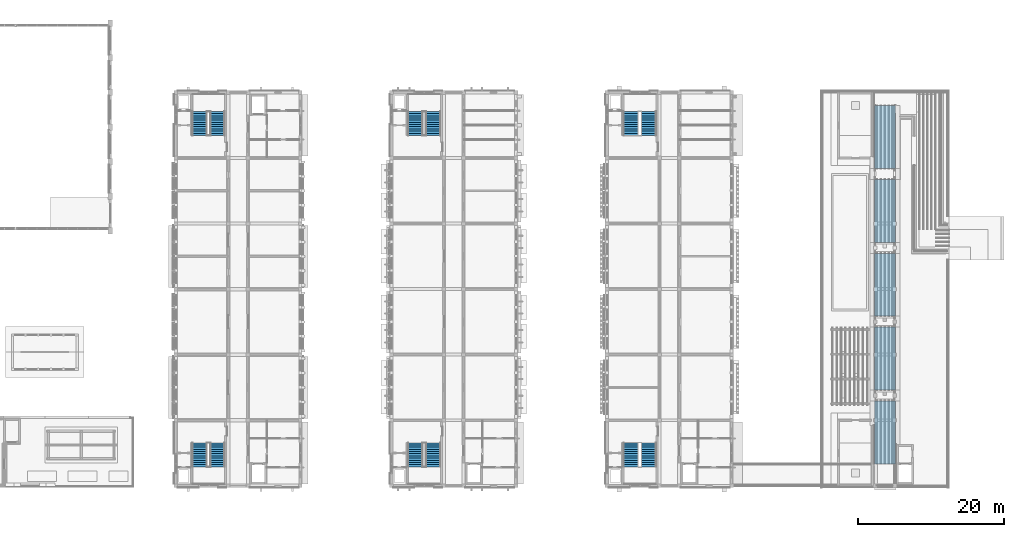
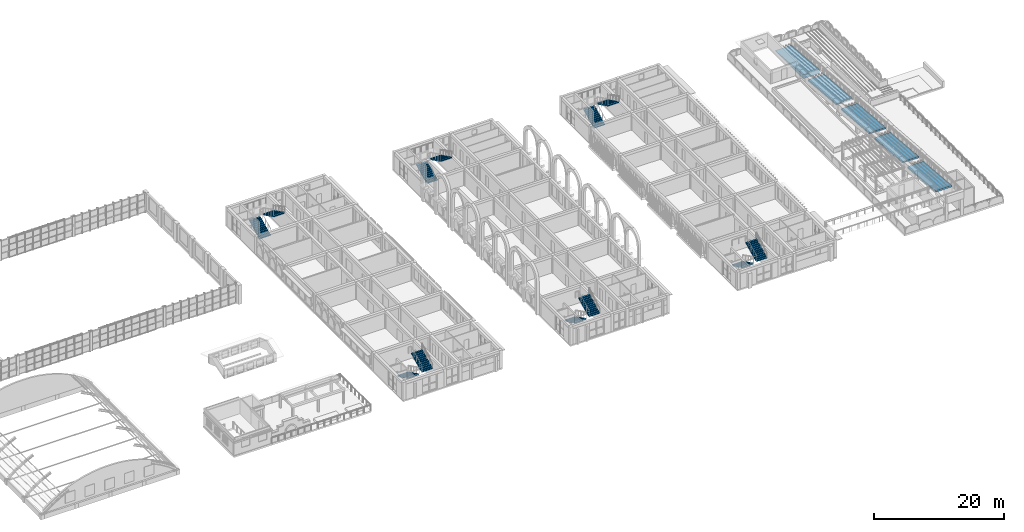
# One storey, part 46 of 70: 12 stair flights, 5 ramp flights, 7 elements without a shape of their own.
"""IFC4 building model written with IfcOpenShell, lengths in metres."""

from ifc_helpers import new_model, si_unit, direction, frame, origin, place, context, subcontext, project, spatial, polyline, outline, extrude, material, layer, layer_set, type_object, element, aggregate, save


model = new_model("IFC4")

# Units and contexts
model_context = context("Model", 3, precision=1e-05, world=origin(), true_north=direction((0.0, 1.0)))
body_context = subcontext(model_context, "Body", "Model", "MODEL_VIEW")
ifc_project = project(units=[si_unit("LENGTHUNIT", "METRE"), si_unit("AREAUNIT", "SQUARE_METRE"), si_unit("VOLUMEUNIT", "CUBIC_METRE"), si_unit("PLANEANGLEUNIT", "RADIAN"), si_unit("MASSUNIT", "GRAM", prefix="KILO")], contexts=[model_context])

# Site, building, storey
site_placement = place(None, origin())
site = spatial("IfcSite", under=ifc_project, at=site_placement, CompositionType="ELEMENT")
building_placement = place(site_placement, origin())
building = spatial("IfcBuilding", under=site, at=building_placement, Name="Elbe Cascade School", CompositionType="ELEMENT")
storey_placement = place(building_placement, frame((0.0, 0.0, 8.10009765625)))
storey = spatial("IfcBuildingStorey", under=building, at=storey_placement, Name="L02", CompositionType="ELEMENT", Elevation=8.10009765625)

# Stair, stair flights
ifc_material_1 = material(Name="Concrete C30/37", Category="concrete")
stair_type = type_object("IfcStairType", Name="Bar stair RC 150", PredefinedType="HALF_TURN_STAIR", material=ifc_material_1)
stair_1_placement = place(storey_placement, origin())
stair_1 = element("IfcStair", 1, at=stair_1_placement, inside=storey, type_object=stair_type, Name="Stair A2.S", PredefinedType="HALF_TURN_STAIR")
ifc_material_2 = material(Name="Concrete C30/37", Category="concrete")
stair_flight_type = type_object("IfcStairFlightType", Name="Bar stair flight RC", PredefinedType="STRAIGHT", material=ifc_material_2)
stair_flight_1_placement = place(storey_placement, frame((72.27490234375, 11.89990234375, 0.0), z_axis=(0.0, 0.0, 1.0), x_axis=(0.0, -1.0, 0.0)))
stair_flight_1 = element("IfcStairFlight", 2, at=stair_flight_1_placement, type_object=stair_flight_type, Name="ST3 flight 1", NumberOfRisers=12, NumberOfTreads=11, PredefinedType="STRAIGHT", RiserHeight=0.15, TreadLength=0.3, context=body_context, shape_type="SweptSolid", body=[
    extrude(outline(polyline([(0.0, 0.0), (0.0, 0.14990234375), (0.300048828125, 0.14990234375), (0.300048828125, 0.300048828125), (0.60009765625, 0.300048828125), (0.60009765625, 0.449951171875), (0.89990234375, 0.449951171875), (0.89990234375, 0.60009765625), (1.199951171875, 0.60009765625), (1.199951171875, 0.75), (1.5, 0.75), (1.5, 0.89990234375), (1.800048828125, 0.89990234375), (1.800048828125, 1.050048828125), (2.10009765625, 1.050048828125), (2.10009765625, 1.199951171875), (2.39990234375, 1.199951171875), (2.39990234375, 1.35009765625), (2.699951171875, 1.35009765625), (2.699951171875, 1.5), (3.0, 1.5), (3.0, 1.64990234375), (3.300048828125, 1.64990234375), (3.300048828125, 1.800048828125), (3.300048828125, 1.482421875), (0.335205078125, 0.0), (0.0, 0.0)])), frame((0.0, 0.97509765625, 0.0), z_axis=(0.0, -1.0, 0.0), x_axis=(1.0, 0.0, 0.0)), (0.0, 0.0, 1.0), 1.949951171875),
])
stair_flight_2_placement = place(storey_placement, frame((74.72509765625, 8.60009765625, 1.7998046875), z_axis=(0.0, 0.0, 1.0), x_axis=(0.0, 1.0, 0.0)))
stair_flight_2 = element("IfcStairFlight", 3, at=stair_flight_2_placement, type_object=stair_flight_type, Name="ST3 flight 2", NumberOfRisers=12, NumberOfTreads=11, PredefinedType="STRAIGHT", RiserHeight=0.15, TreadLength=0.3, context=body_context, shape_type="SweptSolid", body=[
    extrude(outline(polyline([(0.0, 0.0), (0.0, 0.14990234375), (0.300048828125, 0.14990234375), (0.300048828125, 0.300048828125), (0.60009765625, 0.300048828125), (0.60009765625, 0.449951171875), (0.89990234375, 0.449951171875), (0.89990234375, 0.60009765625), (1.199951171875, 0.60009765625), (1.199951171875, 0.75), (1.5, 0.75), (1.5, 0.89990234375), (1.800048828125, 0.89990234375), (1.800048828125, 1.050048828125), (2.10009765625, 1.050048828125), (2.10009765625, 1.199951171875), (2.39990234375, 1.199951171875), (2.39990234375, 1.35009765625), (2.699951171875, 1.35009765625), (2.699951171875, 1.5), (3.0, 1.5), (3.0, 1.64990234375), (3.300048828125, 1.64990234375), (3.300048828125, 1.800048828125), (3.300048828125, 1.482421875), (0.335205078125, 0.0), (0.0, 0.0)])), frame((0.0, 0.97509765625, 0.0), z_axis=(0.0, -1.0, 0.0), x_axis=(1.0, 0.0, 0.0)), (0.0, 0.0, 1.0), 1.949951171875),
])
aggregate(stair_1, [stair_flight_1, stair_flight_2])

stair_2_placement = place(storey_placement, origin())
stair_2 = element("IfcStair", 4, at=stair_2_placement, inside=storey, type_object=stair_type, Name="Stair A2.N", PredefinedType="HALF_TURN_STAIR")
stair_flight_3_placement = place(storey_placement, frame((72.27490234375, 54.10009765625, 0.0), z_axis=(0.0, 0.0, 1.0), x_axis=(0.0, 1.0, 0.0)))
stair_flight_3 = element("IfcStairFlight", 5, at=stair_flight_3_placement, type_object=stair_flight_type, Name="ST3 flight 1", NumberOfRisers=12, NumberOfTreads=11, PredefinedType="STRAIGHT", RiserHeight=0.15, TreadLength=0.3, context=body_context, shape_type="SweptSolid", body=[
    extrude(outline(polyline([(0.0, 0.0), (0.0, 0.14990234375), (0.300048828125, 0.14990234375), (0.300048828125, 0.300048828125), (0.60009765625, 0.300048828125), (0.60009765625, 0.449951171875), (0.89990234375, 0.449951171875), (0.89990234375, 0.60009765625), (1.199951171875, 0.60009765625), (1.199951171875, 0.75), (1.5, 0.75), (1.5, 0.89990234375), (1.800048828125, 0.89990234375), (1.800048828125, 1.050048828125), (2.10009765625, 1.050048828125), (2.10009765625, 1.199951171875), (2.39990234375, 1.199951171875), (2.39990234375, 1.35009765625), (2.699951171875, 1.35009765625), (2.699951171875, 1.5), (3.0, 1.5), (3.0, 1.64990234375), (3.300048828125, 1.64990234375), (3.300048828125, 1.800048828125), (3.300048828125, 1.482421875), (0.335205078125, 0.0), (0.0, 0.0)])), frame((0.0, 0.97509765625, 0.0), z_axis=(0.0, -1.0, 0.0), x_axis=(1.0, 0.0, 0.0)), (0.0, 0.0, 1.0), 1.949951171875),
])
stair_flight_4_placement = place(storey_placement, frame((74.72509765625, 57.39990234375, 1.7998046875), z_axis=(0.0, 0.0, 1.0), x_axis=(0.0, -1.0, 0.0)))
stair_flight_4 = element("IfcStairFlight", 6, at=stair_flight_4_placement, type_object=stair_flight_type, Name="ST3 flight 2", NumberOfRisers=12, NumberOfTreads=11, PredefinedType="STRAIGHT", RiserHeight=0.15, TreadLength=0.3, context=body_context, shape_type="SweptSolid", body=[
    extrude(outline(polyline([(0.0, 0.0), (0.0, 0.14990234375), (0.300048828125, 0.14990234375), (0.300048828125, 0.300048828125), (0.60009765625, 0.300048828125), (0.60009765625, 0.449951171875), (0.89990234375, 0.449951171875), (0.89990234375, 0.60009765625), (1.199951171875, 0.60009765625), (1.199951171875, 0.75), (1.5, 0.75), (1.5, 0.89990234375), (1.800048828125, 0.89990234375), (1.800048828125, 1.050048828125), (2.10009765625, 1.050048828125), (2.10009765625, 1.199951171875), (2.39990234375, 1.199951171875), (2.39990234375, 1.35009765625), (2.699951171875, 1.35009765625), (2.699951171875, 1.5), (3.0, 1.5), (3.0, 1.64990234375), (3.300048828125, 1.64990234375), (3.300048828125, 1.800048828125), (3.300048828125, 1.482421875), (0.335205078125, 0.0), (0.0, 0.0)])), frame((0.0, 0.97509765625, 0.0), z_axis=(0.0, -1.0, 0.0), x_axis=(1.0, 0.0, 0.0)), (0.0, 0.0, 1.0), 1.949951171875),
])
aggregate(stair_2, [stair_flight_3, stair_flight_4])

stair_3_placement = place(storey_placement, origin())
stair_3 = element("IfcStair", 7, at=stair_3_placement, inside=storey, type_object=stair_type, Name="Stair B2.S", PredefinedType="HALF_TURN_STAIR")
stair_flight_5_placement = place(storey_placement, frame((101.875, 11.89990234375, 0.0), z_axis=(0.0, 0.0, 1.0), x_axis=(0.0, -1.0, 0.0)))
stair_flight_5 = element("IfcStairFlight", 8, at=stair_flight_5_placement, type_object=stair_flight_type, Name="ST3 flight 1", NumberOfRisers=12, NumberOfTreads=11, PredefinedType="STRAIGHT", RiserHeight=0.15, TreadLength=0.3, context=body_context, shape_type="SweptSolid", body=[
    extrude(outline(polyline([(0.0, 0.0), (0.0, 0.14990234375), (0.300048828125, 0.14990234375), (0.300048828125, 0.300048828125), (0.60009765625, 0.300048828125), (0.60009765625, 0.449951171875), (0.89990234375, 0.449951171875), (0.89990234375, 0.60009765625), (1.199951171875, 0.60009765625), (1.199951171875, 0.75), (1.5, 0.75), (1.5, 0.89990234375), (1.800048828125, 0.89990234375), (1.800048828125, 1.050048828125), (2.10009765625, 1.050048828125), (2.10009765625, 1.199951171875), (2.39990234375, 1.199951171875), (2.39990234375, 1.35009765625), (2.699951171875, 1.35009765625), (2.699951171875, 1.5), (3.0, 1.5), (3.0, 1.64990234375), (3.300048828125, 1.64990234375), (3.300048828125, 1.800048828125), (3.300048828125, 1.482421875), (0.335205078125, 0.0), (0.0, 0.0)])), frame((0.0, 0.97509765625, 0.0), z_axis=(0.0, -1.0, 0.0), x_axis=(1.0, 0.0, 0.0)), (0.0, 0.0, 1.0), 1.949951171875),
])
stair_flight_6_placement = place(storey_placement, frame((104.324951171875, 8.60009765625, 1.7998046875), z_axis=(0.0, 0.0, 1.0), x_axis=(0.0, 1.0, 0.0)))
stair_flight_6 = element("IfcStairFlight", 9, at=stair_flight_6_placement, type_object=stair_flight_type, Name="ST3 flight 2", NumberOfRisers=12, NumberOfTreads=11, PredefinedType="STRAIGHT", RiserHeight=0.15, TreadLength=0.3, context=body_context, shape_type="SweptSolid", body=[
    extrude(outline(polyline([(0.0, 0.0), (0.0, 0.14990234375), (0.300048828125, 0.14990234375), (0.300048828125, 0.300048828125), (0.60009765625, 0.300048828125), (0.60009765625, 0.449951171875), (0.89990234375, 0.449951171875), (0.89990234375, 0.60009765625), (1.199951171875, 0.60009765625), (1.199951171875, 0.75), (1.5, 0.75), (1.5, 0.89990234375), (1.800048828125, 0.89990234375), (1.800048828125, 1.050048828125), (2.10009765625, 1.050048828125), (2.10009765625, 1.199951171875), (2.39990234375, 1.199951171875), (2.39990234375, 1.35009765625), (2.699951171875, 1.35009765625), (2.699951171875, 1.5), (3.0, 1.5), (3.0, 1.64990234375), (3.300048828125, 1.64990234375), (3.300048828125, 1.800048828125), (3.300048828125, 1.482421875), (0.335205078125, 0.0), (0.0, 0.0)])), frame((0.0, 0.97509765625, 0.0), z_axis=(0.0, -1.0, 0.0), x_axis=(1.0, 0.0, 0.0)), (0.0, 0.0, 1.0), 1.949951171875),
])
aggregate(stair_3, [stair_flight_5, stair_flight_6])

stair_4_placement = place(storey_placement, origin())
stair_4 = element("IfcStair", 10, at=stair_4_placement, inside=storey, type_object=stair_type, Name="Stair B2.N", PredefinedType="HALF_TURN_STAIR")
stair_flight_7_placement = place(storey_placement, frame((101.875, 54.10009765625, 0.0), z_axis=(0.0, 0.0, 1.0), x_axis=(0.0, 1.0, 0.0)))
stair_flight_7 = element("IfcStairFlight", 11, at=stair_flight_7_placement, type_object=stair_flight_type, Name="ST3 flight 1", NumberOfRisers=12, NumberOfTreads=11, PredefinedType="STRAIGHT", RiserHeight=0.15, TreadLength=0.3, context=body_context, shape_type="SweptSolid", body=[
    extrude(outline(polyline([(0.0, 0.0), (0.0, 0.14990234375), (0.300048828125, 0.14990234375), (0.300048828125, 0.300048828125), (0.60009765625, 0.300048828125), (0.60009765625, 0.449951171875), (0.89990234375, 0.449951171875), (0.89990234375, 0.60009765625), (1.199951171875, 0.60009765625), (1.199951171875, 0.75), (1.5, 0.75), (1.5, 0.89990234375), (1.800048828125, 0.89990234375), (1.800048828125, 1.050048828125), (2.10009765625, 1.050048828125), (2.10009765625, 1.199951171875), (2.39990234375, 1.199951171875), (2.39990234375, 1.35009765625), (2.699951171875, 1.35009765625), (2.699951171875, 1.5), (3.0, 1.5), (3.0, 1.64990234375), (3.300048828125, 1.64990234375), (3.300048828125, 1.800048828125), (3.300048828125, 1.482421875), (0.335205078125, 0.0), (0.0, 0.0)])), frame((0.0, 0.97509765625, 0.0), z_axis=(0.0, -1.0, 0.0), x_axis=(1.0, 0.0, 0.0)), (0.0, 0.0, 1.0), 1.949951171875),
])
stair_flight_8_placement = place(storey_placement, frame((104.324951171875, 57.39990234375, 1.7998046875), z_axis=(0.0, 0.0, 1.0), x_axis=(0.0, -1.0, 0.0)))
stair_flight_8 = element("IfcStairFlight", 12, at=stair_flight_8_placement, type_object=stair_flight_type, Name="ST3 flight 2", NumberOfRisers=12, NumberOfTreads=11, PredefinedType="STRAIGHT", RiserHeight=0.15, TreadLength=0.3, context=body_context, shape_type="SweptSolid", body=[
    extrude(outline(polyline([(0.0, 0.0), (0.0, 0.14990234375), (0.300048828125, 0.14990234375), (0.300048828125, 0.300048828125), (0.60009765625, 0.300048828125), (0.60009765625, 0.449951171875), (0.89990234375, 0.449951171875), (0.89990234375, 0.60009765625), (1.199951171875, 0.60009765625), (1.199951171875, 0.75), (1.5, 0.75), (1.5, 0.89990234375), (1.800048828125, 0.89990234375), (1.800048828125, 1.050048828125), (2.10009765625, 1.050048828125), (2.10009765625, 1.199951171875), (2.39990234375, 1.199951171875), (2.39990234375, 1.35009765625), (2.699951171875, 1.35009765625), (2.699951171875, 1.5), (3.0, 1.5), (3.0, 1.64990234375), (3.300048828125, 1.64990234375), (3.300048828125, 1.800048828125), (3.300048828125, 1.482421875), (0.335205078125, 0.0), (0.0, 0.0)])), frame((0.0, 0.97509765625, 0.0), z_axis=(0.0, -1.0, 0.0), x_axis=(1.0, 0.0, 0.0)), (0.0, 0.0, 1.0), 1.949951171875),
])
aggregate(stair_4, [stair_flight_7, stair_flight_8])

stair_5_placement = place(storey_placement, origin())
stair_5 = element("IfcStair", 13, at=stair_5_placement, inside=storey, type_object=stair_type, Name="Stair C2.S", PredefinedType="HALF_TURN_STAIR")
stair_flight_9_placement = place(storey_placement, frame((131.47509765625, 11.89990234375, 0.0), z_axis=(0.0, 0.0, 1.0), x_axis=(0.0, -1.0, 0.0)))
stair_flight_9 = element("IfcStairFlight", 14, at=stair_flight_9_placement, type_object=stair_flight_type, Name="ST3 flight 1", NumberOfRisers=12, NumberOfTreads=11, PredefinedType="STRAIGHT", RiserHeight=0.15, TreadLength=0.3, context=body_context, shape_type="SweptSolid", body=[
    extrude(outline(polyline([(0.0, 0.0), (0.0, 0.14990234375), (0.300048828125, 0.14990234375), (0.300048828125, 0.300048828125), (0.60009765625, 0.300048828125), (0.60009765625, 0.449951171875), (0.89990234375, 0.449951171875), (0.89990234375, 0.60009765625), (1.199951171875, 0.60009765625), (1.199951171875, 0.75), (1.5, 0.75), (1.5, 0.89990234375), (1.800048828125, 0.89990234375), (1.800048828125, 1.050048828125), (2.10009765625, 1.050048828125), (2.10009765625, 1.199951171875), (2.39990234375, 1.199951171875), (2.39990234375, 1.35009765625), (2.699951171875, 1.35009765625), (2.699951171875, 1.5), (3.0, 1.5), (3.0, 1.64990234375), (3.300048828125, 1.64990234375), (3.300048828125, 1.800048828125), (3.300048828125, 1.482421875), (0.335205078125, 0.0), (0.0, 0.0)])), frame((0.0, 0.97509765625, 0.0), z_axis=(0.0, -1.0, 0.0), x_axis=(1.0, 0.0, 0.0)), (0.0, 0.0, 1.0), 1.949951171875),
])
stair_flight_10_placement = place(storey_placement, frame((133.925048828125, 8.60009765625, 1.7998046875), z_axis=(0.0, 0.0, 1.0), x_axis=(0.0, 1.0, 0.0)))
stair_flight_10 = element("IfcStairFlight", 15, at=stair_flight_10_placement, type_object=stair_flight_type, Name="ST3 flight 2", NumberOfRisers=12, NumberOfTreads=11, PredefinedType="STRAIGHT", RiserHeight=0.15, TreadLength=0.3, context=body_context, shape_type="SweptSolid", body=[
    extrude(outline(polyline([(0.0, 0.0), (0.0, 0.14990234375), (0.300048828125, 0.14990234375), (0.300048828125, 0.300048828125), (0.60009765625, 0.300048828125), (0.60009765625, 0.449951171875), (0.89990234375, 0.449951171875), (0.89990234375, 0.60009765625), (1.199951171875, 0.60009765625), (1.199951171875, 0.75), (1.5, 0.75), (1.5, 0.89990234375), (1.800048828125, 0.89990234375), (1.800048828125, 1.050048828125), (2.10009765625, 1.050048828125), (2.10009765625, 1.199951171875), (2.39990234375, 1.199951171875), (2.39990234375, 1.35009765625), (2.699951171875, 1.35009765625), (2.699951171875, 1.5), (3.0, 1.5), (3.0, 1.64990234375), (3.300048828125, 1.64990234375), (3.300048828125, 1.800048828125), (3.300048828125, 1.482421875), (0.335205078125, 0.0), (0.0, 0.0)])), frame((0.0, 0.97509765625, 0.0), z_axis=(0.0, -1.0, 0.0), x_axis=(1.0, 0.0, 0.0)), (0.0, 0.0, 1.0), 1.949951171875),
])
aggregate(stair_5, [stair_flight_9, stair_flight_10])

stair_6_placement = place(storey_placement, origin())
stair_6 = element("IfcStair", 16, at=stair_6_placement, inside=storey, type_object=stair_type, Name="Stair C2.N", PredefinedType="HALF_TURN_STAIR")
stair_flight_11_placement = place(storey_placement, frame((131.47509765625, 54.10009765625, 0.0), z_axis=(0.0, 0.0, 1.0), x_axis=(0.0, 1.0, 0.0)))
stair_flight_11 = element("IfcStairFlight", 17, at=stair_flight_11_placement, type_object=stair_flight_type, Name="ST3 flight 1", NumberOfRisers=12, NumberOfTreads=11, PredefinedType="STRAIGHT", RiserHeight=0.15, TreadLength=0.3, context=body_context, shape_type="SweptSolid", body=[
    extrude(outline(polyline([(0.0, 0.0), (0.0, 0.14990234375), (0.300048828125, 0.14990234375), (0.300048828125, 0.300048828125), (0.60009765625, 0.300048828125), (0.60009765625, 0.449951171875), (0.89990234375, 0.449951171875), (0.89990234375, 0.60009765625), (1.199951171875, 0.60009765625), (1.199951171875, 0.75), (1.5, 0.75), (1.5, 0.89990234375), (1.800048828125, 0.89990234375), (1.800048828125, 1.050048828125), (2.10009765625, 1.050048828125), (2.10009765625, 1.199951171875), (2.39990234375, 1.199951171875), (2.39990234375, 1.35009765625), (2.699951171875, 1.35009765625), (2.699951171875, 1.5), (3.0, 1.5), (3.0, 1.64990234375), (3.300048828125, 1.64990234375), (3.300048828125, 1.800048828125), (3.300048828125, 1.482421875), (0.335205078125, 0.0), (0.0, 0.0)])), frame((0.0, 0.97509765625, 0.0), z_axis=(0.0, -1.0, 0.0), x_axis=(1.0, 0.0, 0.0)), (0.0, 0.0, 1.0), 1.949951171875),
])
stair_flight_12_placement = place(storey_placement, frame((133.925048828125, 57.39990234375, 1.7998046875), z_axis=(0.0, 0.0, 1.0), x_axis=(0.0, -1.0, 0.0)))
stair_flight_12 = element("IfcStairFlight", 18, at=stair_flight_12_placement, type_object=stair_flight_type, Name="ST3 flight 2", NumberOfRisers=12, NumberOfTreads=11, PredefinedType="STRAIGHT", RiserHeight=0.15, TreadLength=0.3, context=body_context, shape_type="SweptSolid", body=[
    extrude(outline(polyline([(0.0, 0.0), (0.0, 0.14990234375), (0.300048828125, 0.14990234375), (0.300048828125, 0.300048828125), (0.60009765625, 0.300048828125), (0.60009765625, 0.449951171875), (0.89990234375, 0.449951171875), (0.89990234375, 0.60009765625), (1.199951171875, 0.60009765625), (1.199951171875, 0.75), (1.5, 0.75), (1.5, 0.89990234375), (1.800048828125, 0.89990234375), (1.800048828125, 1.050048828125), (2.10009765625, 1.050048828125), (2.10009765625, 1.199951171875), (2.39990234375, 1.199951171875), (2.39990234375, 1.35009765625), (2.699951171875, 1.35009765625), (2.699951171875, 1.5), (3.0, 1.5), (3.0, 1.64990234375), (3.300048828125, 1.64990234375), (3.300048828125, 1.800048828125), (3.300048828125, 1.482421875), (0.335205078125, 0.0), (0.0, 0.0)])), frame((0.0, 0.97509765625, 0.0), z_axis=(0.0, -1.0, 0.0), x_axis=(1.0, 0.0, 0.0)), (0.0, 0.0, 1.0), 1.949951171875),
])
aggregate(stair_6, [stair_flight_11, stair_flight_12])

# Ramp, ramp flights
ifc_material_3 = material(Name="Concrete C30/37", Category="concrete")
ramp_type = type_object("IfcRampType", Name="Roof ramp", PredefinedType="STRAIGHT_RUN_RAMP", material=ifc_material_3)
ramp_placement = place(storey_placement, origin())
ramp = element("IfcRamp", 19, at=ramp_placement, inside=storey, type_object=ramp_type, Name="Roof ramp D", PredefinedType="STRAIGHT_RUN_RAMP")
ifc_material_4 = material(Name="Concrete C30/37", Category="concrete")
ifc_layer = layer(ifc_material_4, 0.300048828125)
ifc_layer_set = layer_set([ifc_layer], Name="Concrete C30/37")
ramp_flight_type_1 = type_object("IfcRampFlightType", Name="Roof ramp flight 300", PredefinedType="STRAIGHT", material=ifc_layer_set)
ramp_flight_1_placement = place(storey_placement, frame((166.35009765625, 9.0, 3.659912109375), z_axis=(0.0, 0.0, 1.0), x_axis=(0.0, 1.0, 0.0)))
ramp_flight_1 = element("IfcRampFlight", 20, at=ramp_flight_1_placement, type_object=ramp_flight_type_1, Name="Roof ramp D flight 1", PredefinedType="STRAIGHT", context=body_context, shape_type="SweptSolid", body=[
    extrude(outline(polyline([(0.0, -0.300048828125), (8.639892578125, -1.02001953125), (8.639892578125, -0.719970703125), (0.0, 0.0), (0.0, -0.300048828125)])), frame((0.0, 1.4501953125, 0.0), z_axis=(0.0, -1.0, 0.0), x_axis=(1.0, 0.0, 0.0)), (0.0, 0.0, 1.0), 2.900146484375),
])
ramp_flight_2_placement = place(storey_placement, frame((166.35009765625, 19.139892578125, 2.93994140625), z_axis=(0.0, 0.0, 1.0), x_axis=(0.0, 1.0, 0.0)))
ramp_flight_2 = element("IfcRampFlight", 21, at=ramp_flight_2_placement, type_object=ramp_flight_type_1, Name="Roof ramp D flight 2", PredefinedType="STRAIGHT", context=body_context, shape_type="SweptSolid", body=[
    extrude(outline(polyline([(0.0, -0.300048828125), (8.64013671875, -1.02001953125), (8.64013671875, -0.719970703125), (0.0, 0.0), (0.0, -0.300048828125)])), frame((0.0, 1.4501953125, 0.0), z_axis=(0.0, -1.0, 0.0), x_axis=(1.0, 0.0, 0.0)), (0.0, 0.0, 1.0), 2.900146484375),
])
ramp_flight_3_placement = place(storey_placement, frame((166.35009765625, 29.280029296875, 2.219970703125), z_axis=(0.0, 0.0, 1.0), x_axis=(0.0, 1.0, 0.0)))
ramp_flight_3 = element("IfcRampFlight", 22, at=ramp_flight_3_placement, type_object=ramp_flight_type_1, Name="Roof ramp D flight 3", PredefinedType="STRAIGHT", context=body_context, shape_type="SweptSolid", body=[
    extrude(outline(polyline([(0.0, -0.300048828125), (8.639892578125, -1.02001953125), (8.639892578125, -0.719970703125), (0.0, 0.0), (0.0, -0.300048828125)])), frame((0.0, 1.4501953125, 0.0), z_axis=(0.0, -1.0, 0.0), x_axis=(1.0, 0.0, 0.0)), (0.0, 0.0, 1.0), 2.900146484375),
])
ramp_flight_4_placement = place(storey_placement, frame((166.35009765625, 39.419921875, 1.5), z_axis=(0.0, 0.0, 1.0), x_axis=(0.0, 1.0, 0.0)))
ramp_flight_4 = element("IfcRampFlight", 23, at=ramp_flight_4_placement, type_object=ramp_flight_type_1, Name="Roof ramp D flight 4", PredefinedType="STRAIGHT", context=body_context, shape_type="SweptSolid", body=[
    extrude(outline(polyline([(0.0, -0.300048828125), (8.64013671875, -1.020263671875), (8.64013671875, -0.72021484375), (0.0, 0.0), (0.0, -0.300048828125)])), frame((0.0, 1.4501953125, 0.0), z_axis=(0.0, -1.0, 0.0), x_axis=(1.0, 0.0, 0.0)), (0.0, 0.0, 1.0), 2.900146484375),
])
ifc_material_5 = material(Name="Concrete C30/37", Category="concrete")
ramp_flight_type_2 = type_object("IfcRampFlightType", Name="Roof ramp flight on deck", PredefinedType="STRAIGHT", material=ifc_material_5)
ramp_flight_5_placement = place(storey_placement, frame((164.89990234375, 49.56005859375, 0.0), z_axis=(1.0, 0.0, 0.0), x_axis=(0.0, 1.0, 0.0)))
ramp_flight_5 = element("IfcRampFlight", 24, at=ramp_flight_5_placement, type_object=ramp_flight_type_2, Name="Roof ramp D flight 5", PredefinedType="STRAIGHT", context=body_context, shape_type="SweptSolid", body=[
    extrude(outline(polyline([(0.0, 0.0), (8.639892578125, 0.0), (8.639892578125, 0.06005859375), (0.0, 0.780029296875), (0.0, 0.0)])), origin(), (0.0, 0.0, 1.0), 2.900146484375),
])
aggregate(ramp, [ramp_flight_1, ramp_flight_2, ramp_flight_3, ramp_flight_4, ramp_flight_5])

save(model, "model.ifc")
